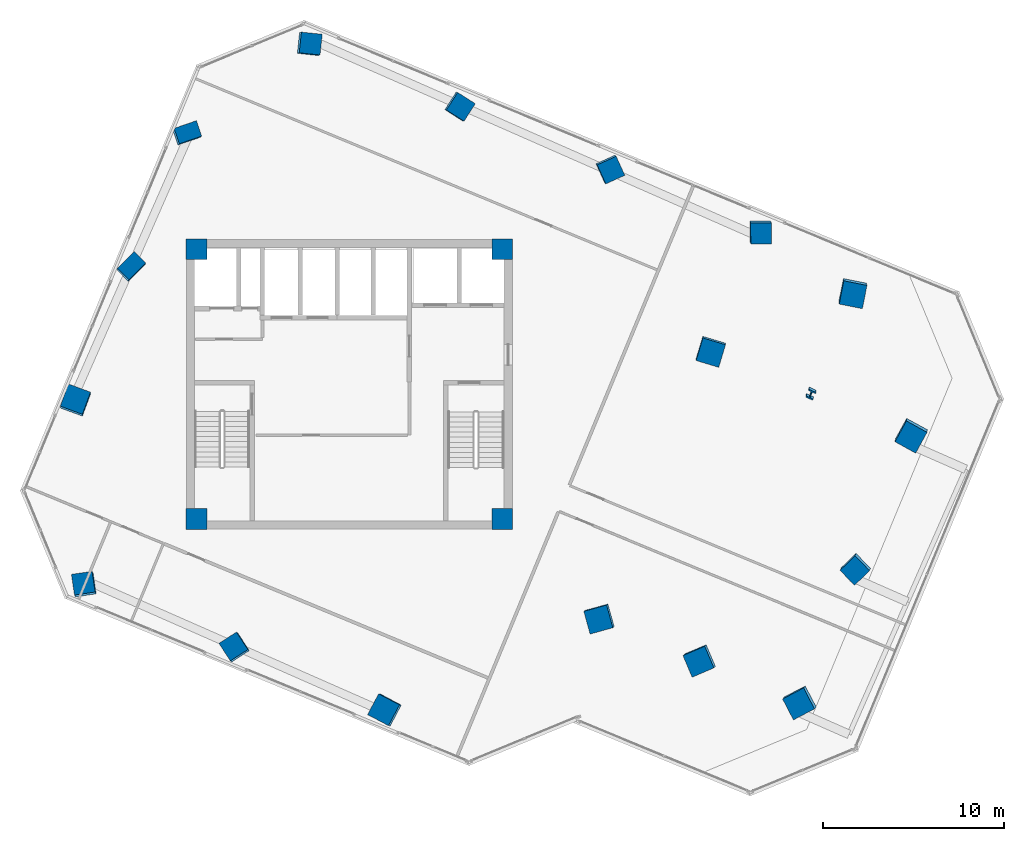
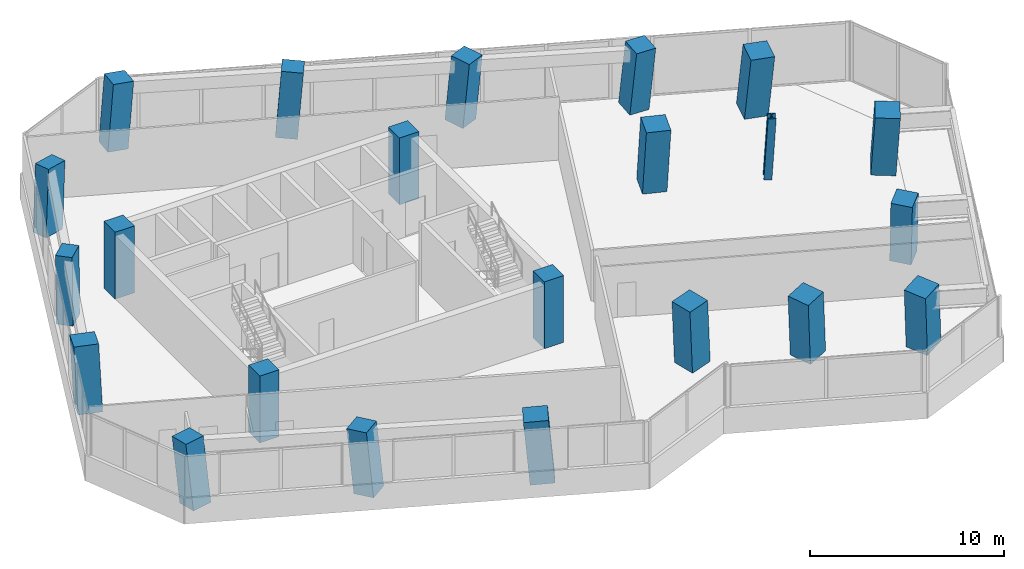
# One storey, part 1 of 23: 22 columns.
"""IFC4 building model written with IfcOpenShell, lengths in metres."""

from ifc_helpers import new_model, si_unit, direction, frame, origin, origin_2d, place, context, subcontext, project, spatial, rectangle, i_section, extrude, clip, halfspace, source, transform, mapped, material, material_profile, profile_set, type_object, element, save


model = new_model("IFC4")

# Units and contexts
model_context = context("Model", 3, precision=1e-05, world=origin(), true_north=direction((0.0, 1.0)))
body_context = subcontext(model_context, "Body", "Model", "MODEL_VIEW")
ifc_project = project(units=[si_unit("LENGTHUNIT", "METRE"), si_unit("AREAUNIT", "SQUARE_METRE"), si_unit("VOLUMEUNIT", "CUBIC_METRE"), si_unit("PLANEANGLEUNIT", "RADIAN"), si_unit("MASSUNIT", "GRAM", prefix="KILO")], contexts=[model_context])

# Site, building, storey
site_placement = place(None, origin())
site = spatial("IfcSite", under=ifc_project, at=site_placement, CompositionType="ELEMENT")
building_placement = place(site_placement, origin())
building = spatial("IfcBuilding", under=site, at=building_placement, Name="Torre Montelarca", CompositionType="ELEMENT")
storey_placement = place(building_placement, frame((0.0, 0.0, 145.60009765625)))
storey = spatial("IfcBuildingStorey", under=building, at=storey_placement, Name="L32", CompositionType="ELEMENT", Elevation=145.60009765625)

# Columns
ifc_material_1 = material(Name="Concrete C55/67", Category="concrete")
ifc_material_profile_1 = material_profile(ifc_material_1, rectangle(XDim=0.89990234375, YDim=1.300048828125, at=origin_2d()), Name="RC1300X900", Category="concrete")
ifc_profile_set_1 = profile_set([ifc_material_profile_1], Name="Concrete C55/67")
column_type_1 = type_object("IfcColumnType", Name="COL-PIL1300-EXT", PredefinedType="PILASTER", material=ifc_profile_set_1)
column_1_placement = place(storey_placement, frame((5.9326171875, 38.4482421875, 0.0), z_axis=(0.034223613206, 0.08020254533, 0.996190893364), x_axis=(0.700127448644, -0.713237701603, 0.03336969683)))
element("IfcColumn", 1, at=column_1_placement, inside=storey, type_object=column_type_1, Name="L32 Column 1W/E", PredefinedType="PILASTER", context=body_context, shape_type="Clipping", body=[
    clip(clip(extrude(rectangle(XDim=0.89990234375, YDim=1.300048828125, at=origin_2d()), origin(), (0.0, 0.0, 1.0), 4.216064453125), halfspace(frame((0.0, 0.0, 0.068359375), z_axis=(0.0, 0.0, -1.0), x_axis=(1.0, 0.0, 0.0)), False)), halfspace(frame((0.0, 0.0, 4.147705078125), z_axis=(0.0, 0.0, 1.0), x_axis=(1.0, 0.0, 0.0)), False)),
])
column_2_placement = place(storey_placement, frame((8.994140625, 45.83935546875, 0.0), z_axis=(0.0722651345, 0.063875667324, 0.995337957409), x_axis=(0.326470768603, -0.944486389289, 0.0369093172)))
element("IfcColumn", 2, at=column_2_placement, inside=storey, type_object=column_type_1, Name="L32 Column 1W/F", PredefinedType="PILASTER", context=body_context, shape_type="Clipping", body=[
    clip(clip(extrude(rectangle(XDim=0.89990234375, YDim=1.300048828125, at=origin_2d()), origin(), (0.0, 0.0, 1.0), 4.2197265625), halfspace(frame((0.0, 0.0, 0.07568359375), z_axis=(0.0, 0.0, -1.0), x_axis=(1.0, 0.0, 0.0)), False)), halfspace(frame((0.0, 0.0, 4.14404296875), z_axis=(0.0, 0.0, 1.0), x_axis=(1.0, 0.0, 0.0)), False)),
])
ifc_material_profile_2 = material_profile(ifc_material_1, rectangle(XDim=1.14990234375, YDim=1.14990234375, at=origin_2d()), Name="RC1150X1150", Category="concrete")
ifc_profile_set_2 = profile_set([ifc_material_profile_2], Name="Concrete C55/67")
column_type_2 = type_object("IfcColumnType", Name="COL-RC1150-EXT", PredefinedType="COLUMN", material=ifc_profile_set_2)
column_3_placement = place(storey_placement, frame((3.369384765625, 20.892822265625, 0.0), z_axis=(-0.05633354189, 0.094235904434, 0.99395479091), x_axis=(0.988159955679, 0.147562370098, 0.042014865498)))
element("IfcColumn", 3, at=column_3_placement, inside=storey, type_object=column_type_2, Name="L32 Column 2/CS", PredefinedType="COLUMN", context=body_context, shape_type="Clipping", body=[
    clip(clip(extrude(rectangle(XDim=1.14990234375, YDim=1.14990234375, at=origin_2d()), origin(), (0.0, 0.0, 1.0), 4.2255859375), halfspace(frame((0.0, 0.0, 0.083740234375), z_axis=(0.0, 0.0, -1.0), x_axis=(1.0, 0.0, 0.0)), False)), halfspace(frame((0.0, 0.0, 4.141845703125), z_axis=(0.0, 0.0, 1.0), x_axis=(1.0, 0.0, 0.0)), False)),
])
column_4_placement = place(storey_placement, frame((15.749267578125, 50.7802734375, 0.0), z_axis=(0.097326869075, 0.028683379121, 0.99483905448), x_axis=(-0.104007450325, -0.993818265574, 0.038829180877)))
element("IfcColumn", 4, at=column_4_placement, inside=storey, type_object=column_type_2, Name="L32 Column 2/GN", PredefinedType="COLUMN", context=body_context, shape_type="Clipping", body=[
    clip(clip(extrude(rectangle(XDim=1.14990234375, YDim=1.14990234375, at=origin_2d()), origin(), (0.0, 0.0, 1.0), 4.2216796875), halfspace(frame((0.0, 0.0, 0.077392578125), z_axis=(0.0, 0.0, -1.0), x_axis=(1.0, 0.0, 0.0)), False)), halfspace(frame((0.0, 0.0, 4.144287109375), z_axis=(0.0, 0.0, 1.0), x_axis=(1.0, 0.0, 0.0)), False)),
])
column_5_placement = place(storey_placement, frame((11.684326171875, 17.44873046875, 0.0), z_axis=(-0.074735008578, 0.051579312659, 0.995868592234), x_axis=(0.838432295846, 0.543896794983, 0.034749988351)))
element("IfcColumn", 5, at=column_5_placement, inside=storey, type_object=column_type_2, Name="L32 Column 3/CS", PredefinedType="COLUMN", context=body_context, shape_type="Clipping", body=[
    clip(clip(extrude(rectangle(XDim=1.14990234375, YDim=1.14990234375, at=origin_2d()), origin(), (0.0, 0.0, 1.0), 4.21728515625), halfspace(frame((0.0, 0.0, 0.0693359375), z_axis=(0.0, 0.0, -1.0), x_axis=(1.0, 0.0, 0.0)), False)), halfspace(frame((0.0, 0.0, 4.14794921875), z_axis=(0.0, 0.0, 1.0), x_axis=(1.0, 0.0, 0.0)), False)),
])
column_6_placement = place(storey_placement, frame((24.064208984375, 47.336181640625, 0.0), z_axis=(0.079205271408, -0.014137590507, 0.996758071708), x_axis=(-0.537848193123, -0.842479270671, 0.030789602857)))
element("IfcColumn", 6, at=column_6_placement, inside=storey, type_object=column_type_2, Name="L32 Column 3/GN", PredefinedType="COLUMN", context=body_context, shape_type="Clipping", body=[
    clip(clip(extrude(rectangle(XDim=1.14990234375, YDim=1.14990234375, at=origin_2d()), origin(), (0.0, 0.0, 1.0), 4.213623046875), halfspace(frame((0.0, 0.0, 0.0615234375), z_axis=(0.0, 0.0, -1.0), x_axis=(1.0, 0.0, 0.0)), False)), halfspace(frame((0.0, 0.0, 4.152099609375), z_axis=(0.0, 0.0, 1.0), x_axis=(1.0, 0.0, 0.0)), False)),
])
column_7_placement = place(storey_placement, frame((32.37890625, 43.89208984375, 0.0), z_axis=(0.060938866071, -0.056999851914, 0.996512654954), x_axis=(-0.909615982387, -0.414221107493, 0.031931781881)))
element("IfcColumn", 7, at=column_7_placement, inside=storey, type_object=column_type_2, Name="L32 Column 4/GN", PredefinedType="COLUMN", context=body_context, shape_type="Clipping", body=[
    clip(clip(extrude(rectangle(XDim=1.14990234375, YDim=1.14990234375, at=origin_2d()), origin(), (0.0, 0.0, 1.0), 4.214599609375), halfspace(frame((0.0, 0.0, 0.063720703125), z_axis=(0.0, 0.0, -1.0), x_axis=(1.0, 0.0, 0.0)), False)), halfspace(frame((0.0, 0.0, 4.15087890625), z_axis=(0.0, 0.0, 1.0), x_axis=(1.0, 0.0, 0.0)), False)),
])
column_8_placement = place(storey_placement, frame((40.69384765625, 40.447998046875, 0.0), z_axis=(0.04253148249, -0.099625374746, 0.994115615864), x_axis=(-0.999057620474, -0.012862566611, 0.041453894311)))
element("IfcColumn", 8, at=column_8_placement, inside=storey, type_object=column_type_2, Name="L32 Column 5/GN", PredefinedType="COLUMN", context=body_context, shape_type="Clipping", body=[
    clip(clip(extrude(rectangle(XDim=1.14990234375, YDim=1.14990234375, at=origin_2d()), origin(), (0.0, 0.0, 1.0), 4.224853515625), halfspace(frame((0.0, 0.0, 0.08251953125), z_axis=(0.0, 0.0, -1.0), x_axis=(1.0, 0.0, 0.0)), False)), halfspace(frame((0.0, 0.0, 4.142333984375), z_axis=(0.0, 0.0, 1.0), x_axis=(1.0, 0.0, 0.0)), False)),
])
column_9_placement = place(storey_placement, frame((45.98291015625, 21.85888671875, 0.0), z_axis=(-0.053555242606, -0.125422923006, 0.99065681564), x_axis=(-0.700788678564, 0.71145727681, 0.052189762124)))
element("IfcColumn", 9, at=column_9_placement, inside=storey, type_object=column_type_2, Name="L32 Column 7/E", PredefinedType="COLUMN", context=body_context, shape_type="Clipping", body=[
    clip(clip(extrude(rectangle(XDim=1.14990234375, YDim=1.14990234375, at=origin_2d()), origin(), (0.0, 0.0, 1.0), 4.239501953125), halfspace(frame((0.0, 0.0, 0.104248046875), z_axis=(0.0, 0.0, -1.0), x_axis=(1.0, 0.0, 0.0)), False)), halfspace(frame((0.0, 0.0, 4.13525390625), z_axis=(0.0, 0.0, 1.0), x_axis=(1.0, 0.0, 0.0)), False)),
])
ifc_material_2 = material(Name="Concrete C70/85", Category="concrete")
ifc_material_profile_3 = material_profile(ifc_material_2, rectangle(XDim=1.300048828125, YDim=1.300048828125, at=origin_2d()), Name="RC1300X1300", Category="concrete")
ifc_profile_set_3 = profile_set([ifc_material_profile_3], Name="Concrete C70/85")
column_type_3 = type_object("IfcColumnType", Name="COL-RC1300", PredefinedType="COLUMN", material=ifc_profile_set_3)
column_10_placement = place(storey_placement, frame((31.834716796875, 19.06005859375, 0.0), z_axis=(-0.067529534187, -0.052761068305, 0.996321249238), x_axis=(-0.268358481598, 0.962760731488, 0.032794805374)))
element("IfcColumn", 10, at=column_10_placement, inside=storey, type_object=column_type_3, Name="L32 Column 5/D", PredefinedType="COLUMN", context=body_context, shape_type="Clipping", body=[
    clip(clip(extrude(rectangle(XDim=1.300048828125, YDim=1.300048828125, at=origin_2d()), origin(), (0.0, 0.0, 1.0), 4.215576171875), halfspace(frame((0.0, 0.0, 0.07373046875), z_axis=(0.0, 0.0, -1.0), x_axis=(1.0, 0.0, 0.0)), False)), halfspace(frame((0.0, 0.0, 4.141845703125), z_axis=(0.0, 0.0, 1.0), x_axis=(1.0, 0.0, 0.0)), False)),
])
column_11_placement = place(storey_placement, frame((37.957763671875, 33.842041015625, 0.0), z_axis=(0.008571513109, -0.085251806052, 0.996322567609), x_axis=(-0.957387419586, 0.286939391301, 0.03278893926)))
element("IfcColumn", 11, at=column_11_placement, inside=storey, type_object=column_type_3, Name="L32 Column 5/F", PredefinedType="COLUMN", context=body_context, shape_type="Clipping", body=[
    clip(clip(extrude(rectangle(XDim=1.300048828125, YDim=1.300048828125, at=origin_2d()), origin(), (0.0, 0.0, 1.0), 4.21533203125), halfspace(frame((0.0, 0.0, 0.07373046875), z_axis=(0.0, 0.0, -1.0), x_axis=(1.0, 0.0, 0.0)), False)), halfspace(frame((0.0, 0.0, 4.1416015625), z_axis=(0.0, 0.0, 1.0), x_axis=(1.0, 0.0, 0.0)), False)),
])
column_12_placement = place(storey_placement, frame((37.378173828125, 16.763916015625, 0.0), z_axis=(-0.079526245915, -0.08108558407, 0.993529417917), x_axis=(-0.393368525227, 0.91835295243, 0.043463296284)))
element("IfcColumn", 12, at=column_12_placement, inside=storey, type_object=column_type_3, Name="L32 Column 6/D", PredefinedType="COLUMN", context=body_context, shape_type="Clipping", body=[
    clip(clip(extrude(rectangle(XDim=1.300048828125, YDim=1.300048828125, at=origin_2d()), origin(), (0.0, 0.0, 1.0), 4.227294921875), halfspace(frame((0.0, 0.0, 0.097900390625), z_axis=(0.0, 0.0, -1.0), x_axis=(1.0, 0.0, 0.0)), False)), halfspace(frame((0.0, 0.0, 4.12939453125), z_axis=(0.0, 0.0, 1.0), x_axis=(1.0, 0.0, 0.0)), False)),
])
column_13_placement = place(storey_placement, frame((45.797119140625, 37.08935546875, 0.0), z_axis=(0.024848043378, -0.12545091042, 0.991788608432), x_axis=(-0.980016275849, 0.192802781649, 0.0489406422)))
element("IfcColumn", 13, at=column_13_placement, inside=storey, type_object=column_type_3, Name="L32 Column 6/G", PredefinedType="COLUMN", context=body_context, shape_type="Clipping", body=[
    clip(clip(extrude(rectangle(XDim=1.300048828125, YDim=1.300048828125, at=origin_2d()), origin(), (0.0, 0.0, 1.0), 4.234619140625), halfspace(frame((0.0, 0.0, 0.1103515625), z_axis=(0.0, 0.0, -1.0), x_axis=(1.0, 0.0, 0.0)), False)), halfspace(frame((0.0, 0.0, 4.124267578125), z_axis=(0.0, 0.0, 1.0), x_axis=(1.0, 0.0, 0.0)), False)),
])
ifc_material_profile_4 = material_profile(ifc_material_2, rectangle(XDim=1.300048828125, YDim=1.300048828125, at=origin_2d()), Name="RC1300X1300", Category="concrete")
ifc_profile_set_4 = profile_set([ifc_material_profile_4], Name="Concrete C70/85")
column_type_4 = type_object("IfcColumnType", Name="COL-RC1300-EXT", PredefinedType="COLUMN", material=ifc_profile_set_4)
column_14_placement = place(storey_placement, frame((19.999267578125, 14.00439453125, 0.0), z_axis=(-0.093005415961, 0.008797027521, 0.995626739752), x_axis=(0.466314790202, 0.883896158504, 0.035750488389)))
element("IfcColumn", 14, at=column_14_placement, inside=storey, type_object=column_type_4, Name="L32 Column 4/CS", PredefinedType="COLUMN", context=body_context, shape_type="Clipping", body=[
    clip(clip(extrude(rectangle(XDim=1.300048828125, YDim=1.300048828125, at=origin_2d()), origin(), (0.0, 0.0, 1.0), 4.218505859375), halfspace(frame((0.0, 0.0, 0.080322265625), z_axis=(0.0, 0.0, -1.0), x_axis=(1.0, 0.0, 0.0)), False)), halfspace(frame((0.0, 0.0, 4.13818359375), z_axis=(0.0, 0.0, 1.0), x_axis=(1.0, 0.0, 0.0)), False)),
])
for number, where, z_axis, x_axis, name in (
    (15, (42.92138671875, 14.468017578125, 0.0), (-0.091368942886, -0.109205449368, 0.989811035554), (-0.465516290855, 0.883360349863, 0.054489221308), "L32 Column 7/D"),
    (16, (49.044189453125, 29.25, 0.0), (-0.015650186238, -0.141484588089, 0.989816742132), (-0.876633710563, 0.478064761992, 0.054474038276), "L32 Column 7/F"),
):
    element("IfcColumn", number, at=place(storey_placement, frame(where, z_axis=z_axis, x_axis=x_axis)), inside=storey, type_object=column_type_4, Name=name, PredefinedType="COLUMN", context=body_context, shape_type="Clipping", body=[
        clip(clip(extrude(rectangle(XDim=1.300048828125, YDim=1.300048828125, at=origin_2d()), origin(), (0.0, 0.0, 1.0), 4.2431640625), halfspace(frame((0.0, 0.0, 0.122802734375), z_axis=(0.0, 0.0, -1.0), x_axis=(1.0, 0.0, 0.0)), False)), halfspace(frame((0.0, 0.0, 4.120361328125), z_axis=(0.0, 0.0, 1.0), x_axis=(1.0, 0.0, 0.0)), False)),
    ])
column_15_placement = place(storey_placement, frame((2.87109375, 31.05712890625, 0.0), z_axis=(-0.003818647026, 0.096391908262, 0.995336133151), x_axis=(0.938233204688, -0.344028522224, 0.036916520929)))
element("IfcColumn", 17, at=column_15_placement, inside=storey, type_object=column_type_4, Name="L32 Column 1W/D", PredefinedType="COLUMN", context=body_context, shape_type="Clipping", body=[
    clip(clip(extrude(rectangle(XDim=1.300048828125, YDim=1.300048828125, at=origin_2d()), origin(), (0.0, 0.0, 1.0), 4.2197265625), halfspace(frame((0.0, 0.0, 0.0830078125), z_axis=(0.0, 0.0, -1.0), x_axis=(1.0, 0.0, 0.0)), False)), halfspace(frame((0.0, 0.0, 4.13671875), z_axis=(0.0, 0.0, 1.0), x_axis=(1.0, 0.0, 0.0)), False)),
])
ifc_material_3 = material(Name="Steel ASTM A992 Grade 50", Category="steel")
ifc_material_profile_5 = material_profile(ifc_material_3, i_section(OverallWidth=0.4208984375, OverallDepth=0.465087890625, WebThickness=0.044921875, FlangeThickness=0.072265625, FilletRadius=0.014892578125, at=origin_2d()), Name="W360X592", Category="steel")
ifc_profile_set_5 = profile_set([ifc_material_profile_5], Name="Steel ASTM A992 Grade 50")
column_type_5 = type_object("IfcColumnType", Name="COL-W360X592", PredefinedType="COLUMN", material=ifc_profile_set_5)
column_16_placement = place(storey_placement, frame((43.5009765625, 31.5458984375, 0.0), z_axis=(-0.003580716022, -0.1134855965, 0.993533189108), x_axis=(-0.911429557009, 0.409155473992, 0.043450669875)))
element("IfcColumn", 18, at=column_16_placement, inside=storey, type_object=column_type_5, Name="L32 Column 6/F", PredefinedType="COLUMN", context=body_context, shape_type="Clipping", body=[
    clip(clip(extrude(i_section(OverallWidth=0.4208984375, OverallDepth=0.465087890625, WebThickness=0.044921875, FlangeThickness=0.072265625, FilletRadius=0.014892578125, at=origin_2d()), origin(), (0.0, 0.0, 1.0), 4.227294921875), halfspace(frame((0.0, 0.0, 0.034423828125), z_axis=(0.0, 0.0, -1.0), x_axis=(1.0, 0.0, 0.0)), False)), halfspace(frame((0.0, 0.0, 4.19287109375), z_axis=(0.0, 0.0, 1.0), x_axis=(1.0, 0.0, 0.0)), False)),
])
ifc_material_profile_6 = material_profile(ifc_material_1, rectangle(XDim=1.14990234375, YDim=1.14990234375, at=origin_2d()), Name="RC1150X1150", Category="concrete")
ifc_profile_set_6 = profile_set([ifc_material_profile_6], Name="Concrete C55/67")
column_type_6 = type_object("IfcColumnType", Name="COL-RC1150", PredefinedType="COLUMN", material=ifc_profile_set_6)
shared_shape = source(origin(), body_context, "Body", "SweptSolid", [
    extrude(rectangle(XDim=1.14990234375, YDim=1.14990234375, at=origin_2d()), origin(), (0.0, 0.0, 1.0), 4.198486328125),
])
for number, where, z_axis, x_axis, name in (
    (19, (9.550048828125, 24.550048828125, 0.000732421875), (0.0, 0.0, 1.0), (1.0, 0.0, 0.0), "L32 Plumb Core Corner Column 2D"),
    (20, (26.449951171875, 24.550048828125, 0.000732421875), (0.0, 0.0, 1.0), (1.0, 0.0, 0.0), "L32 Plumb Core Corner Column 4D"),
    (21, (9.550048828125, 39.449951171875, 0.000732421875), (0.0, 0.0, 1.0), (1.0, 0.0, 0.0), "L32 Plumb Core Corner Column 2F"),
    (22, (26.449951171875, 39.449951171875, 0.000732421875), (0.0, 0.0, 1.0), (1.0, 0.0, 0.0), "L32 Plumb Core Corner Column 4F"),
):
    element("IfcColumn", number, at=place(storey_placement, frame(where, z_axis=z_axis, x_axis=x_axis)), inside=storey, type_object=column_type_6, Name=name, PredefinedType="COLUMN", context=body_context, shape_type="MappedRepresentation", body=[
        mapped(shared_shape, transform((0.0, 0.0, 0.0), scale=1.0)),
    ])

save(model, "model.ifc")
